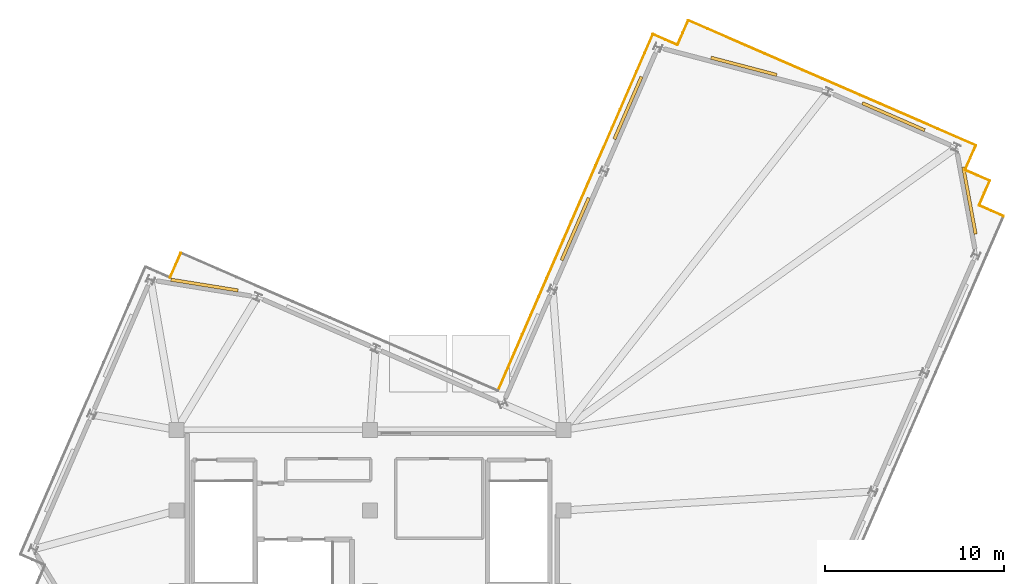
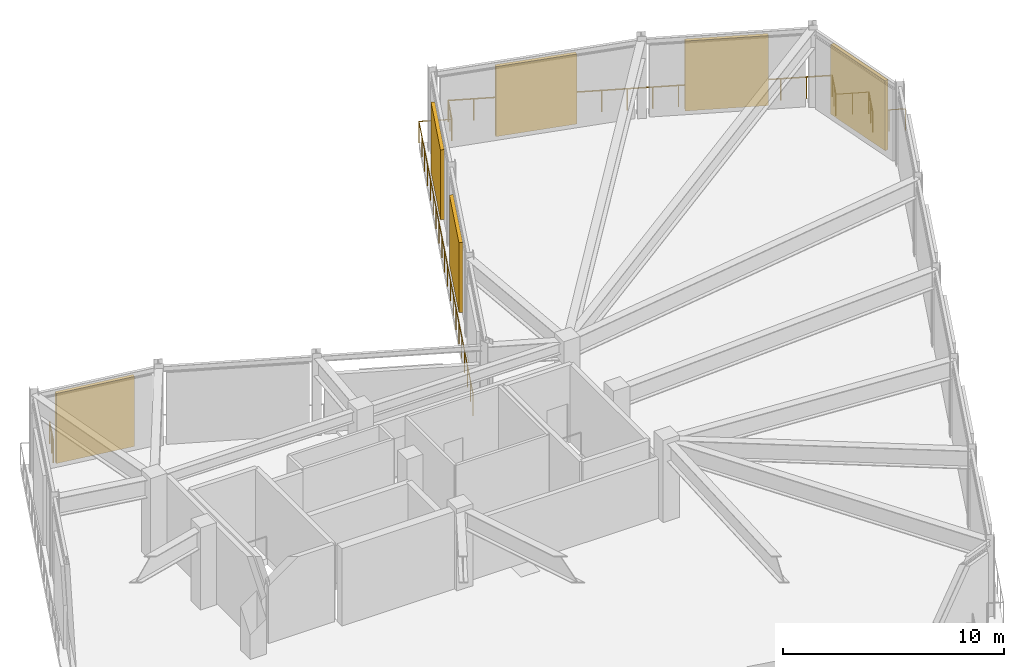
# One storey, part 7 of 7: 9 railings, 6 shading devices.
"""IFC4 building model written with IfcOpenShell, lengths in metres."""

from ifc_helpers import new_model, si_unit, direction, frame, origin, origin_2d, place, context, subcontext, project, spatial, rectangle, circle, extrude, material, layer, layer_set, type_object, element, save


model = new_model("IFC4")

# Units and contexts
model_context = context("Model", 3, precision=1e-05, world=origin(), true_north=direction((0.0, 1.0)))
body_context = subcontext(model_context, "Body", "Model", "MODEL_VIEW")
ifc_project = project(units=[si_unit("LENGTHUNIT", "METRE"), si_unit("AREAUNIT", "SQUARE_METRE"), si_unit("VOLUMEUNIT", "CUBIC_METRE"), si_unit("PLANEANGLEUNIT", "RADIAN"), si_unit("MASSUNIT", "GRAM", prefix="KILO")], contexts=[model_context])

# Site, building, storey
site_placement = place(None, origin())
site = spatial("IfcSite", under=ifc_project, at=site_placement, CompositionType="ELEMENT")
building_placement = place(site_placement, origin())
building = spatial("IfcBuilding", under=site, at=building_placement, Name="Gaonmaruhae Medical Tower", CompositionType="ELEMENT")
storey_placement = place(building_placement, frame((0.0, 0.0, 347.800048828125)))
storey = spatial("IfcBuildingStorey", under=building, at=storey_placement, Name="RF", CompositionType="ELEMENT", Elevation=347.800048828125)

# Railings
ifc_material_1 = material(Name="Stainless steel 316L and laminated safety glass", Category="steel")
ifc_layer = layer(ifc_material_1, 0.080078125)
ifc_layer_set = layer_set([ifc_layer], Name="Stainless steel 316L and laminated safety glass")
railing_type = type_object("IfcRailingType", Name="GD-120 Outdoor Terrace Safety Glass & Steel Balustrade", PredefinedType="BALUSTRADE", material=ifc_layer_set)
railing_1_placement = place(storey_placement, frame((60.171142578125, 28.730712890625, 0.0)))
element("IfcRailing", 1, at=railing_1_placement, inside=storey, type_object=railing_type, Name="RF Terrace Safety Guard RL-RF-02", PredefinedType="BALUSTRADE", context=body_context, shape_type="SweptSolid", body=[
    extrude(circle(Radius=0.02392578125, at=origin_2d()), frame((0.0, 0.0, 1.17578125), z_axis=(-0.917044176795, 0.398785628887, 0.0), x_axis=(-0.398785628887, -0.917044176795, 0.0)), (0.0, 0.0, 1.0), 1.5),
    extrude(circle(Radius=0.02099609375, at=origin_2d()), origin(), (0.0, 0.0, 1.0), 1.15185546875),
    extrude(circle(Radius=0.02099609375, at=origin_2d()), frame((-0.687744140625, 0.299072265625, 0.0)), (0.0, 0.0, 1.0), 1.15185546875),
    extrude(circle(Radius=0.02099609375, at=origin_2d()), frame((-1.37548828125, 0.59814453125, 0.0)), (0.0, 0.0, 1.0), 1.15185546875),
])
railing_2_placement = place(storey_placement, frame((58.795654296875, 29.328857421875, 0.0)))
element("IfcRailing", 2, at=railing_2_placement, inside=storey, type_object=railing_type, Name="RF Terrace Safety Guard RL-RF-03", PredefinedType="BALUSTRADE", context=body_context, shape_type="SweptSolid", body=[
    extrude(circle(Radius=0.02392578125, at=origin_2d()), frame((0.0, 0.0, 1.17578125), z_axis=(0.398726111414, 0.917070056253, 0.0), x_axis=(-0.917070056253, 0.398726111414, 0.0)), (0.0, 0.0, 1.0), 1.500244140625),
    extrude(circle(Radius=0.02099609375, at=origin_2d()), origin(), (0.0, 0.0, 1.0), 1.15185546875),
    extrude(circle(Radius=0.02099609375, at=origin_2d()), frame((0.299072265625, 0.68798828125, 0.0)), (0.0, 0.0, 1.0), 1.15185546875),
    extrude(circle(Radius=0.02099609375, at=origin_2d()), frame((0.59814453125, 1.375732421875, 0.0)), (0.0, 0.0, 1.0), 1.15185546875),
])
railing_3_placement = place(storey_placement, frame((59.393798828125, 30.70458984375, 0.0)))
element("IfcRailing", 3, at=railing_3_placement, inside=storey, type_object=railing_type, Name="RF Terrace Safety Guard RL-RF-04", PredefinedType="BALUSTRADE", context=body_context, shape_type="SweptSolid", body=[
    extrude(circle(Radius=0.02392578125, at=origin_2d()), frame((0.0, 0.0, 1.17578125), z_axis=(-0.917129559328, 0.398589226405, 0.0), x_axis=(-0.398589226405, -0.917129559328, 0.0)), (0.0, 0.0, 1.0), 1.5),
    extrude(circle(Radius=0.02099609375, at=origin_2d()), origin(), (0.0, 0.0, 1.0), 1.15185546875),
    extrude(circle(Radius=0.02099609375, at=origin_2d()), frame((-0.68798828125, 0.298828125, 0.0)), (0.0, 0.0, 1.0), 1.15185546875),
    extrude(circle(Radius=0.02099609375, at=origin_2d()), frame((-1.375732421875, 0.597900390625, 0.0)), (0.0, 0.0, 1.0), 1.15185546875),
])
railing_4_placement = place(storey_placement, frame((58.01806640625, 31.302490234375, 0.0)))
element("IfcRailing", 4, at=railing_4_placement, inside=storey, type_object=railing_type, Name="RF Terrace Safety Guard RL-RF-05", PredefinedType="BALUSTRADE", context=body_context, shape_type="SweptSolid", body=[
    extrude(circle(Radius=0.02392578125, at=origin_2d()), frame((0.0, 0.0, 1.17578125), z_axis=(0.398726111414, 0.917070056253, 0.0), x_axis=(-0.917070056253, 0.398726111414, 0.0)), (0.0, 0.0, 1.0), 1.500244140625),
    extrude(circle(Radius=0.02099609375, at=origin_2d()), origin(), (0.0, 0.0, 1.0), 1.15185546875),
    extrude(circle(Radius=0.02099609375, at=origin_2d()), frame((0.299072265625, 0.68798828125, 0.0)), (0.0, 0.0, 1.0), 1.15185546875),
    extrude(circle(Radius=0.02099609375, at=origin_2d()), frame((0.59814453125, 1.375732421875, 0.0)), (0.0, 0.0, 1.0), 1.15185546875),
])
railing_5_placement = place(storey_placement, frame((58.6162109375, 32.67822265625, 0.0)))
element("IfcRailing", 5, at=railing_5_placement, inside=storey, type_object=railing_type, Name="RF Terrace Safety Guard RL-RF-06", PredefinedType="BALUSTRADE", context=body_context, shape_type="SweptSolid", body=[
    extrude(circle(Radius=0.02392578125, at=origin_2d()), frame((0.0, 0.0, 1.17578125), z_axis=(-0.917062071455, 0.398744475946, 0.0), x_axis=(-0.398744475946, -0.917062071455, 0.0)), (0.0, 0.0, 1.0), 17.5),
    extrude(circle(Radius=0.02099609375, at=origin_2d()), origin(), (0.0, 0.0, 1.0), 1.15185546875),
    extrude(circle(Radius=0.02099609375, at=origin_2d()), frame((-1.06982421875, 0.465087890625, 0.0)), (0.0, 0.0, 1.0), 1.15185546875),
    extrude(circle(Radius=0.02099609375, at=origin_2d()), frame((-2.139892578125, 0.930419921875, 0.0)), (0.0, 0.0, 1.0), 1.15185546875),
    extrude(circle(Radius=0.02099609375, at=origin_2d()), frame((-3.209716796875, 1.3955078125, 0.0)), (0.0, 0.0, 1.0), 1.15185546875),
    extrude(circle(Radius=0.02099609375, at=origin_2d()), frame((-4.279541015625, 1.86083984375, 0.0)), (0.0, 0.0, 1.0), 1.15185546875),
    extrude(circle(Radius=0.02099609375, at=origin_2d()), frame((-5.349609375, 2.325927734375, 0.0)), (0.0, 0.0, 1.0), 1.15185546875),
    extrude(circle(Radius=0.02099609375, at=origin_2d()), frame((-6.41943359375, 2.791259765625, 0.0)), (0.0, 0.0, 1.0), 1.15185546875),
    extrude(circle(Radius=0.02099609375, at=origin_2d()), frame((-7.4892578125, 3.25634765625, 0.0)), (0.0, 0.0, 1.0), 1.15185546875),
    extrude(circle(Radius=0.02099609375, at=origin_2d()), frame((-8.559326171875, 3.7216796875, 0.0)), (0.0, 0.0, 1.0), 1.15185546875),
    extrude(circle(Radius=0.02099609375, at=origin_2d()), frame((-9.629150390625, 4.186767578125, 0.0)), (0.0, 0.0, 1.0), 1.15185546875),
    extrude(circle(Radius=0.02099609375, at=origin_2d()), frame((-10.698974609375, 4.652099609375, 0.0)), (0.0, 0.0, 1.0), 1.15185546875),
    extrude(circle(Radius=0.02099609375, at=origin_2d()), frame((-11.76904296875, 5.1171875, 0.0)), (0.0, 0.0, 1.0), 1.15185546875),
    extrude(circle(Radius=0.02099609375, at=origin_2d()), frame((-12.8388671875, 5.58251953125, 0.0)), (0.0, 0.0, 1.0), 1.15185546875),
    extrude(circle(Radius=0.02099609375, at=origin_2d()), frame((-13.90869140625, 6.047607421875, 0.0)), (0.0, 0.0, 1.0), 1.15185546875),
    extrude(circle(Radius=0.02099609375, at=origin_2d()), frame((-14.978759765625, 6.512939453125, 0.0)), (0.0, 0.0, 1.0), 1.15185546875),
    extrude(circle(Radius=0.02099609375, at=origin_2d()), frame((-16.048583984375, 6.97802734375, 0.0)), (0.0, 0.0, 1.0), 1.15185546875),
])
railing_6_placement = place(storey_placement, frame((42.567626953125, 39.65625, 0.0)))
element("IfcRailing", 6, at=railing_6_placement, inside=storey, type_object=railing_type, Name="RF Terrace Safety Guard RL-RF-07", PredefinedType="BALUSTRADE", context=body_context, shape_type="SweptSolid", body=[
    extrude(circle(Radius=0.02392578125, at=origin_2d()), frame((0.0, 0.0, 1.17578125), z_axis=(-0.398785628887, -0.917044176795, 0.0), x_axis=(0.917044176795, -0.398785628887, 0.0)), (0.0, 0.0, 1.0), 1.5),
    extrude(circle(Radius=0.02099609375, at=origin_2d()), origin(), (0.0, 0.0, 1.0), 1.15185546875),
    extrude(circle(Radius=0.02099609375, at=origin_2d()), frame((-0.299072265625, -0.687744140625, 0.0)), (0.0, 0.0, 1.0), 1.15185546875),
    extrude(circle(Radius=0.02099609375, at=origin_2d()), frame((-0.59814453125, -1.37548828125, 0.0)), (0.0, 0.0, 1.0), 1.15185546875),
])
railing_7_placement = place(storey_placement, frame((41.969482421875, 38.28076171875, 0.0)))
element("IfcRailing", 7, at=railing_7_placement, inside=storey, type_object=railing_type, Name="RF Terrace Safety Guard RL-RF-08", PredefinedType="BALUSTRADE", context=body_context, shape_type="SweptSolid", body=[
    extrude(circle(Radius=0.02392578125, at=origin_2d()), frame((0.0, 0.0, 1.17578125), z_axis=(-0.917044176795, 0.398785628887, 0.0), x_axis=(-0.398785628887, -0.917044176795, 0.0)), (0.0, 0.0, 1.0), 1.5),
    extrude(circle(Radius=0.02099609375, at=origin_2d()), origin(), (0.0, 0.0, 1.0), 1.15185546875),
    extrude(circle(Radius=0.02099609375, at=origin_2d()), frame((-0.687744140625, 0.299072265625, 0.0)), (0.0, 0.0, 1.0), 1.15185546875),
    extrude(circle(Radius=0.02099609375, at=origin_2d()), frame((-1.37548828125, 0.59814453125, 0.0)), (0.0, 0.0, 1.0), 1.15185546875),
])
railing_8_placement = place(storey_placement, frame((40.593994140625, 38.87890625, 0.0)))
element("IfcRailing", 8, at=railing_8_placement, inside=storey, type_object=railing_type, Name="RF Terrace Safety Guard RL-RF-09", PredefinedType="BALUSTRADE", context=body_context, shape_type="SweptSolid", body=[
    extrude(circle(Radius=0.02392578125, at=origin_2d()), frame((0.0, 0.0, 1.17578125), z_axis=(-0.398745035293, -0.917061828248, 0.0), x_axis=(0.917061828248, -0.398745035293, 0.0)), (0.0, 0.0, 1.0), 21.7001953125),
    extrude(circle(Radius=0.02099609375, at=origin_2d()), origin(), (0.0, 0.0, 1.0), 1.15185546875),
    extrude(circle(Radius=0.02099609375, at=origin_2d()), frame((-0.455322265625, -1.04736328125, 0.0)), (0.0, 0.0, 1.0), 1.15185546875),
    extrude(circle(Radius=0.02099609375, at=origin_2d()), frame((-0.910888671875, -2.0947265625, 0.0)), (0.0, 0.0, 1.0), 1.15185546875),
    extrude(circle(Radius=0.02099609375, at=origin_2d()), frame((-1.3662109375, -3.14208984375, 0.0)), (0.0, 0.0, 1.0), 1.15185546875),
    extrude(circle(Radius=0.02099609375, at=origin_2d()), frame((-1.821533203125, -4.189453125, 0.0)), (0.0, 0.0, 1.0), 1.15185546875),
    extrude(circle(Radius=0.02099609375, at=origin_2d()), frame((-2.277099609375, -5.237060546875, 0.0)), (0.0, 0.0, 1.0), 1.15185546875),
    extrude(circle(Radius=0.02099609375, at=origin_2d()), frame((-2.732421875, -6.284423828125, 0.0)), (0.0, 0.0, 1.0), 1.15185546875),
    extrude(circle(Radius=0.02099609375, at=origin_2d()), frame((-3.18798828125, -7.331787109375, 0.0)), (0.0, 0.0, 1.0), 1.15185546875),
    extrude(circle(Radius=0.02099609375, at=origin_2d()), frame((-3.643310546875, -8.379150390625, 0.0)), (0.0, 0.0, 1.0), 1.15185546875),
    extrude(circle(Radius=0.02099609375, at=origin_2d()), frame((-4.0986328125, -9.426513671875, 0.0)), (0.0, 0.0, 1.0), 1.15185546875),
    extrude(circle(Radius=0.02099609375, at=origin_2d()), frame((-4.55419921875, -10.473876953125, 0.0)), (0.0, 0.0, 1.0), 1.15185546875),
    extrude(circle(Radius=0.02099609375, at=origin_2d()), frame((-5.009521484375, -11.521240234375, 0.0)), (0.0, 0.0, 1.0), 1.15185546875),
    extrude(circle(Radius=0.02099609375, at=origin_2d()), frame((-5.46484375, -12.568603515625, 0.0)), (0.0, 0.0, 1.0), 1.15185546875),
    extrude(circle(Radius=0.02099609375, at=origin_2d()), frame((-5.92041015625, -13.615966796875, 0.0)), (0.0, 0.0, 1.0), 1.15185546875),
    extrude(circle(Radius=0.02099609375, at=origin_2d()), frame((-6.375732421875, -14.663330078125, 0.0)), (0.0, 0.0, 1.0), 1.15185546875),
    extrude(circle(Radius=0.02099609375, at=origin_2d()), frame((-6.831298828125, -15.7109375, 0.0)), (0.0, 0.0, 1.0), 1.15185546875),
    extrude(circle(Radius=0.02099609375, at=origin_2d()), frame((-7.28662109375, -16.75830078125, 0.0)), (0.0, 0.0, 1.0), 1.15185546875),
    extrude(circle(Radius=0.02099609375, at=origin_2d()), frame((-7.741943359375, -17.8056640625, 0.0)), (0.0, 0.0, 1.0), 1.15185546875),
    extrude(circle(Radius=0.02099609375, at=origin_2d()), frame((-8.197509765625, -18.85302734375, 0.0)), (0.0, 0.0, 1.0), 1.15185546875),
    extrude(circle(Radius=0.02099609375, at=origin_2d()), frame((-8.65283203125, -19.900390625, 0.0)), (0.0, 0.0, 1.0), 1.15185546875),
])
railing_9_placement = place(storey_placement, frame((14.241943359375, 26.674560546875, 0.0)))
element("IfcRailing", 9, at=railing_9_placement, inside=storey, type_object=railing_type, Name="RF Terrace Safety Guard RL-RF-11", PredefinedType="BALUSTRADE", context=body_context, shape_type="SweptSolid", body=[
    extrude(circle(Radius=0.02392578125, at=origin_2d()), frame((0.0, 0.0, 1.17578125), z_axis=(-0.398726111414, -0.917070056253, 0.0), x_axis=(0.917070056253, -0.398726111414, 0.0)), (0.0, 0.0, 1.0), 1.500244140625),
    extrude(circle(Radius=0.02099609375, at=origin_2d()), origin(), (0.0, 0.0, 1.0), 1.15185546875),
    extrude(circle(Radius=0.02099609375, at=origin_2d()), frame((-0.299072265625, -0.68798828125, 0.0)), (0.0, 0.0, 1.0), 1.15185546875),
    extrude(circle(Radius=0.02099609375, at=origin_2d()), frame((-0.59814453125, -1.375732421875, 0.0)), (0.0, 0.0, 1.0), 1.15185546875),
])

# Shading devices
ifc_material_2 = material(Name="Anodised aluminium louvre", Category="aluminium")
shading_device_type = type_object("IfcShadingDeviceType", Name="SD-LVR1 Crown Acoustic Intake Aluminium Louvre", PredefinedType="USERDEFINED", material=ifc_material_2)
for number, where, z_axis, x_axis, name in (
    (10, (58.2646484375, 29.59375, 0.0498046875), (0.0, 0.0, 1.0), (0.181411731933, -0.98340723178, 0.0), "RF Crown Perimeter Acoustic Louvre S06"),
    (11, (54.02490234375, 34.281982421875, 0.0498046875), (0.0, 0.0, 1.0), (0.917053114761, -0.398765074582, 0.0), "RF Crown Perimeter Acoustic Louvre E01"),
    (12, (45.674072265625, 37.0927734375, 0.0498046875), (0.0, 0.0, 1.0), (0.967223448927, -0.253926760789, 0.0), "RF Crown Perimeter Acoustic Louvre E02"),
    (13, (39.19970703125, 34.76904296875, 0.0498046875), (0.0, 0.0, 1.0), (0.398765074582, 0.917053114761, 0.0), "RF Crown Perimeter Acoustic Louvre E03"),
    (14, (36.2587890625, 28.005615234375, 0.0498046875), (0.0, 0.0, 1.0), (0.398749068925, 0.917060074385, 0.0), "RF Crown Perimeter Acoustic Louvre EN01"),
    (15, (15.56494140625, 24.88232421875, 0.0498046875), (0.0, 0.0, 1.0), (0.987364071203, -0.158468264641, 0.0), "RF Crown Perimeter Acoustic Louvre NE02"),
):
    element("IfcShadingDevice", number, at=place(storey_placement, frame(where, z_axis=z_axis, x_axis=x_axis)), inside=storey, type_object=shading_device_type, Name=name, ObjectType="LOUVRE", PredefinedType="USERDEFINED", context=body_context, shape_type="SweptSolid", body=[
        extrude(rectangle(XDim=3.800048828125, YDim=0.179931640625, at=origin_2d()), origin(), (0.0, 0.0, 1.0), 3.864990234375),
    ])

save(model, "model.ifc")
